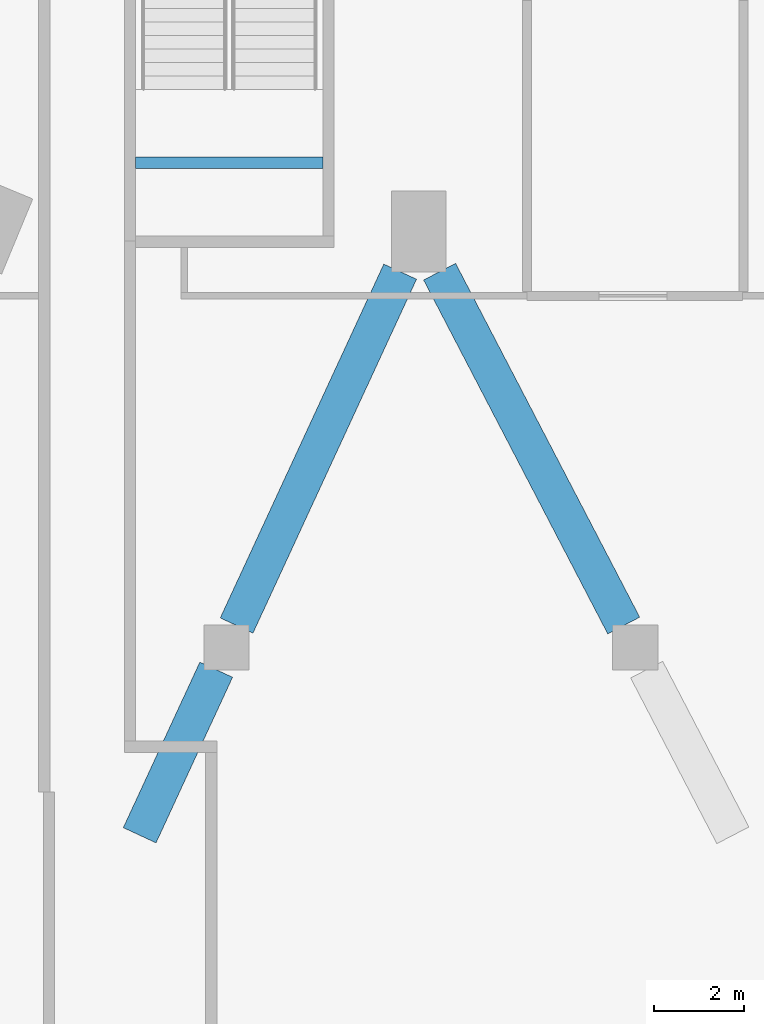
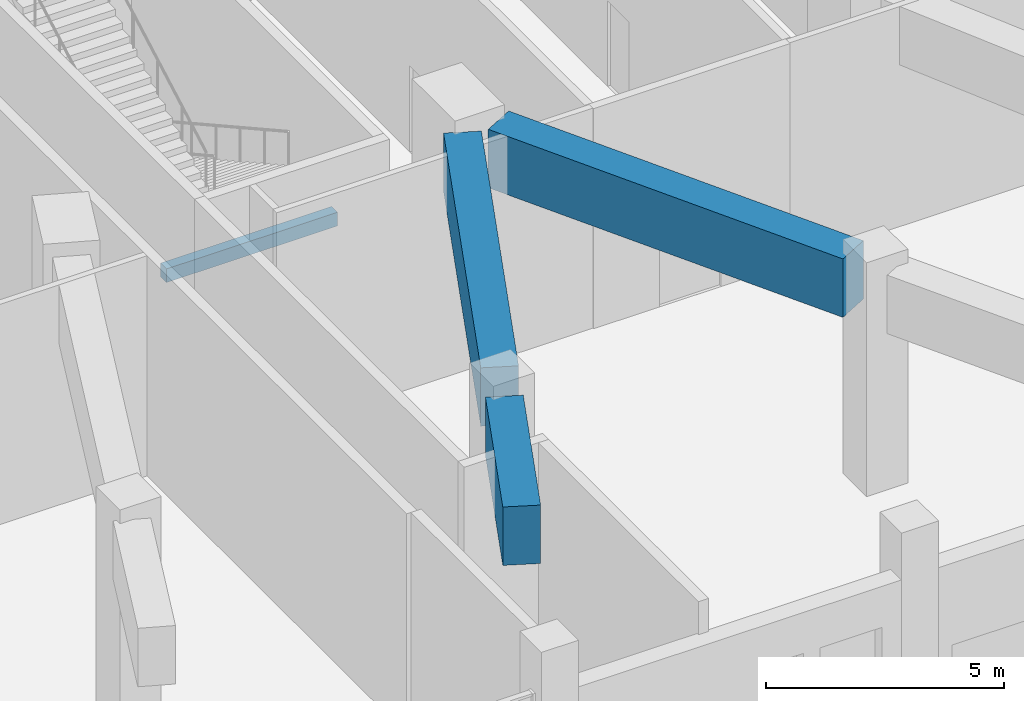
# One storey, part 3 of 36: 4 beams.
"""IFC4 building model written with IfcOpenShell, lengths in metres."""

from ifc_helpers import new_model, si_unit, direction, frame, origin, origin_2d, place, context, subcontext, project, spatial, rectangle, extrude, material, material_profile, profile_set, type_object, element, save


model = new_model("IFC4")

# Units and contexts
model_context = context("Model", 3, precision=1e-05, world=origin(), true_north=direction((0.0, 1.0)))
body_context = subcontext(model_context, "Body", "Model", "MODEL_VIEW")
ifc_project = project(units=[si_unit("LENGTHUNIT", "METRE"), si_unit("AREAUNIT", "SQUARE_METRE"), si_unit("VOLUMEUNIT", "CUBIC_METRE"), si_unit("PLANEANGLEUNIT", "RADIAN"), si_unit("MASSUNIT", "GRAM", prefix="KILO")], contexts=[model_context])

# Site, building, storey
site_placement = place(None, origin())
site = spatial("IfcSite", under=ifc_project, at=site_placement, CompositionType="ELEMENT")
building_placement = place(site_placement, origin())
building = spatial("IfcBuilding", under=site, at=building_placement, Name="Msitu Wima Residences", CompositionType="ELEMENT")
storey_placement = place(building_placement, origin())
storey = spatial("IfcBuildingStorey", under=building, at=storey_placement, Name="L00", CompositionType="ELEMENT", Elevation=0.0)

# Beams
ifc_material_1 = material(Name="Concrete C40/50", Category="concrete")
ifc_material_profile_1 = material_profile(ifc_material_1, rectangle(XDim=0.25, YDim=0.35009765625, at=origin_2d()), Name="RC 250x350")
ifc_profile_set_1 = profile_set([ifc_material_profile_1], Name="Concrete C40/50")
beam_type_1 = type_object("IfcBeamType", Name="Landing beam RC 250x350", PredefinedType="BEAM", material=ifc_profile_set_1)
beam_1_placement = place(storey_placement, frame((-6.925048828125, -27.050048828125, 2.625), z_axis=(-1.0, 0.0, 0.0), x_axis=(0.0, -1.0, 0.0)))
element("IfcBeam", 1, at=beam_1_placement, inside=storey, type_object=beam_type_1, Name="Podium exit stair 8 landing beam", PredefinedType="BEAM", context=body_context, shape_type="SweptSolid", body=[
    extrude(rectangle(XDim=0.25, YDim=0.35009765625, at=origin_2d()), origin(), (0.0, 0.0, 1.0), 4.14990234375),
])
ifc_material_2 = material(Name="Concrete C60/75", Category="concrete")
ifc_material_profile_2 = material_profile(ifc_material_2, rectangle(XDim=0.800048828125, YDim=1.5, at=origin_2d()), Name="RC 800x1500")
ifc_profile_set_2 = profile_set([ifc_material_profile_2], Name="Concrete C60/75")
beam_type_2 = type_object("IfcBeamType", Name="Podium cantilever girder RC 800x1500 Concrete C60/75", PredefinedType="BEAM", material=ifc_profile_set_2)
beam_2_placement = place(storey_placement, frame((-5.2109375, -29.464111328125, 4.89990234375), z_axis=(-0.419573918432, -0.907721172482, 0.0), x_axis=(0.907721172482, -0.419573918432, 0.0)))
element("IfcBeam", 2, at=beam_2_placement, inside=storey, type_object=beam_type_2, Name="Podium cantilever girder L01 C-S1 back-span", PredefinedType="BEAM", context=body_context, shape_type="SweptSolid", body=[
    extrude(rectangle(XDim=0.800048828125, YDim=1.5, at=origin_2d()), origin(), (0.0, 0.0, 1.0), 8.644287109375),
])
beam_3_placement = place(storey_placement, frame((-4.337158203125, -29.46435546875, 4.89990234375), z_axis=(0.461575213793, -0.887101077675, 0.0), x_axis=(0.887101077675, 0.461575213793, 0.0)))
element("IfcBeam", 3, at=beam_3_placement, inside=storey, type_object=beam_type_2, Name="Podium cantilever girder L01 C-S2 back-span", PredefinedType="BEAM", context=body_context, shape_type="SweptSolid", body=[
    extrude(rectangle(XDim=0.800048828125, YDim=1.5, at=origin_2d()), origin(), (0.0, 0.0, 1.0), 8.8447265625),
])
ifc_material_profile_3 = material_profile(ifc_material_2, rectangle(XDim=0.800048828125, YDim=1.5, at=origin_2d()), Name="RC 800x1500")
ifc_profile_set_3 = profile_set([ifc_material_profile_3], Name="Concrete C60/75")
beam_type_3 = type_object("IfcBeamType", Name="Podium cantilever girder tip RC 800x1500 Concrete C60/75", PredefinedType="BEAM", material=ifc_profile_set_3)
beam_4_placement = place(storey_placement, frame((-9.2900390625, -38.2890625, 4.89990234375), z_axis=(-0.419578622089, -0.907718998306, 0.0), x_axis=(0.907718998306, -0.419578622089, 0.0)))
element("IfcBeam", 4, at=beam_4_placement, inside=storey, type_object=beam_type_3, Name="Podium cantilever girder L01 C-S1 cantilever", PredefinedType="BEAM", context=body_context, shape_type="SweptSolid", body=[
    extrude(rectangle(XDim=0.800048828125, YDim=1.5, at=origin_2d()), origin(), (0.0, 0.0, 1.0), 4.045166015625),
])

save(model, "model.ifc")
